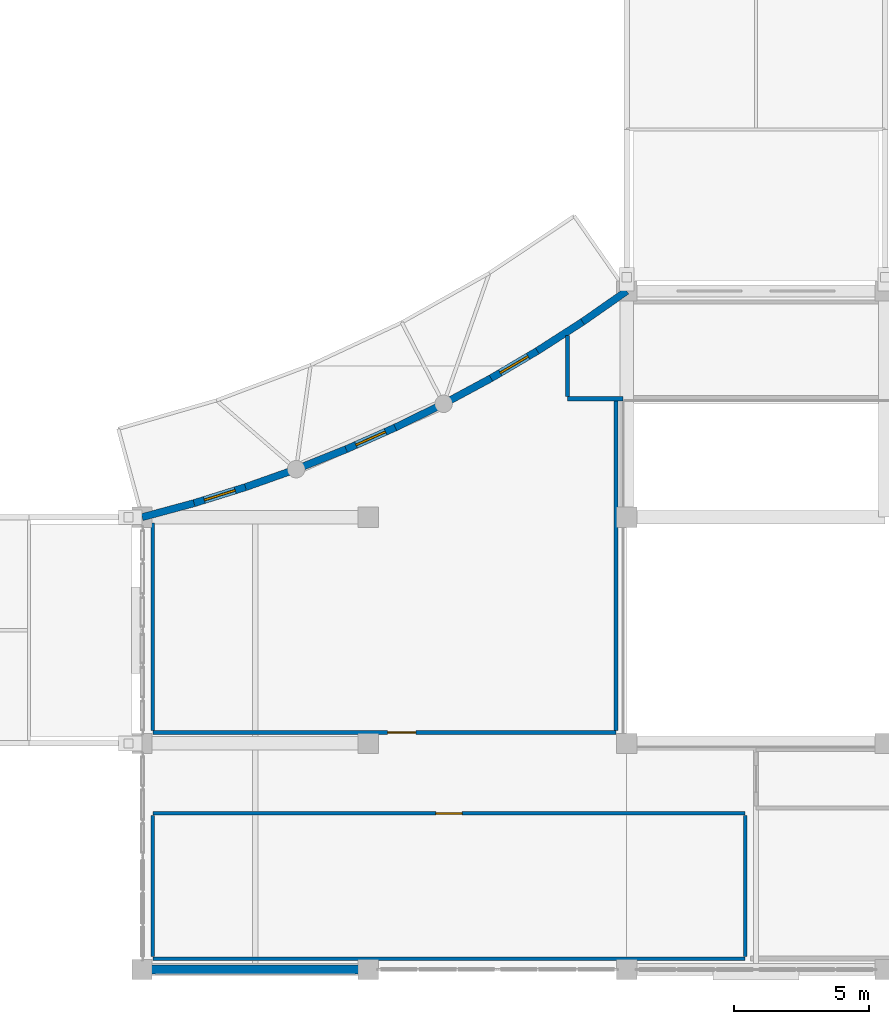
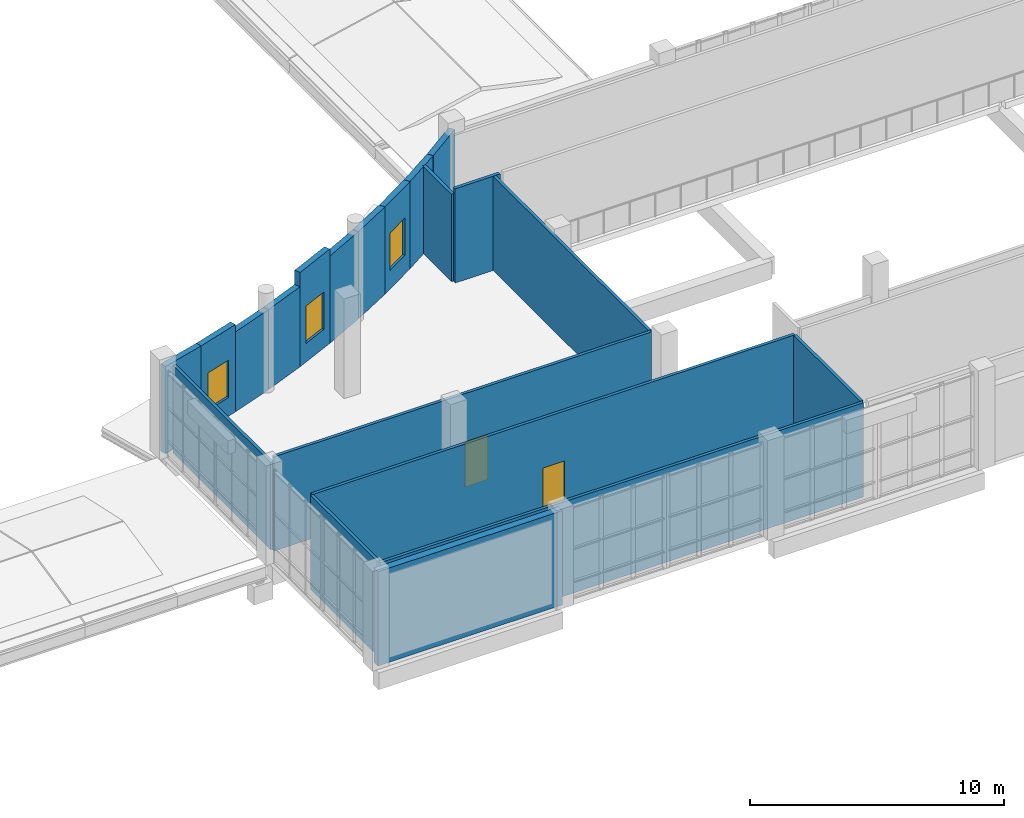
# One storey, part 84 of 106: 20 walls, 3 windows, 2 doors, 5 openings.
"""IFC4 building model written with IfcOpenShell, lengths in metres."""

from ifc_helpers import new_model, si_unit, direction, frame, frame_2d, origin, place, context, subcontext, project, spatial, rectangle, extrude, material, layer, layer_set, type_object, element, fill, save


model = new_model("IFC4")

# Units and contexts
model_context = context("Model", 3, precision=1e-05, world=origin(), true_north=direction((0.0, 1.0)))
body_context = subcontext(model_context, "Body", "Model", "MODEL_VIEW")
ifc_project = project(units=[si_unit("LENGTHUNIT", "METRE"), si_unit("AREAUNIT", "SQUARE_METRE"), si_unit("VOLUMEUNIT", "CUBIC_METRE"), si_unit("PLANEANGLEUNIT", "RADIAN"), si_unit("MASSUNIT", "GRAM", prefix="KILO")], contexts=[model_context])

# Site, building, storey
site_placement = place(None, origin())
site = spatial("IfcSite", under=ifc_project, at=site_placement, CompositionType="ELEMENT")
building_placement = place(site_placement, origin())
building = spatial("IfcBuilding", under=site, at=building_placement, Name="Kisaragi Civic Commons", CompositionType="ELEMENT")
storey_placement = place(building_placement, frame((0.0, 0.0, 4.800048828125)))
storey = spatial("IfcBuildingStorey", under=building, at=storey_placement, Name="L01", CompositionType="ELEMENT", Elevation=4.800048828125)

# Walls
ifc_material_1 = material(Name="Insulated Tokoname terracotta cavity wall", Category="masonry")
ifc_layer_1 = layer(ifc_material_1, 0.320068359375, Name="Insulated Tokoname terracotta cavity wall", Category="masonry")
ifc_layer_set_1 = layer_set([ifc_layer_1], Name="Insulated Tokoname terracotta cavity wall")
wall_type_1 = type_object("IfcWallType", Name="EW-01", PredefinedType="STANDARD", material=ifc_layer_set_1)
wall_1_placement = place(storey_placement, frame((114.0, 0.0, 0.0), z_axis=(0.0, 0.0, 1.0), x_axis=(-1.0, 0.0, 0.0)))
element("IfcWall", 1, at=wall_1_placement, inside=storey, type_object=wall_type_1, Name="V3 L01 exterior terracotta wall EW-01 273", PredefinedType="STANDARD", context=body_context, shape_type="SweptSolid", body=[
    extrude(rectangle(XDim=8.39990234375, YDim=0.320068359375, at=frame_2d((4.199951171875, 0.0))), origin(), (0.0, 0.0, 1.0), 4.5400390625),
])
ifc_layer_2 = layer(ifc_material_1, 0.26806640625, Name="Insulated Tokoname terracotta cavity wall", Category="masonry")
ifc_layer_set_2 = layer_set([ifc_layer_2], Name="Insulated Tokoname terracotta cavity wall")
wall_type_2 = type_object("IfcWallType", Name="EW-04", PredefinedType="STANDARD", material=ifc_layer_set_2)
wall_2_placement = place(storey_placement, frame((105.60009765625, 16.800048828125, 0.0), z_axis=(0.0, 0.0, 1.0), x_axis=(0.965445683697, 0.260604358811, 0.0)))
element("IfcWall", 2, at=wall_2_placement, inside=storey, type_object=wall_type_2, Name="V3 L01 exterior terracotta wall EW-04 259", PredefinedType="STANDARD", context=body_context, shape_type="SweptSolid", body=[
    extrude(rectangle(XDim=1.998291015625, YDim=0.26806640625, at=frame_2d((0.9990234375, 0.0))), origin(), (0.0, 0.0, 1.0), 4.204833984375),
])

# Wall, opening, window
wall_3_placement = place(storey_placement, frame((107.529296875, 17.32080078125, 0.0), z_axis=(0.0, 0.0, 1.0), x_axis=(0.954705742249, 0.297551584969, 0.0)))
wall_3 = element("IfcWall", 3, at=wall_3_placement, inside=storey, type_object=wall_type_2, Name="V3 L01 exterior terracotta wall EW-04 260", PredefinedType="STANDARD", context=body_context, shape_type="SweptSolid", body=[
    extrude(rectangle(XDim=1.998779296875, YDim=0.26806640625, at=frame_2d((0.99951171875, 0.0))), origin(), (0.0, 0.0, 1.0), 4.204833984375),
])
opening_1_placement = place(wall_3_placement, frame((0.3994140625, 0.0, 0.89990234375)))
opening_1 = element("IfcOpeningElement", 4, at=opening_1_placement, cuts=wall_3, Name="Opening W-05", PredefinedType="OPENING", context=body_context, shape_type="SweptSolid", body=[
    extrude(rectangle(XDim=1.199951171875, YDim=1.800048828125, at=frame_2d((0.60009765625, 0.89990234375))), frame((0.0, 0.14404296875, 0.0), z_axis=(0.0, -1.0, 0.0), x_axis=(1.0, 0.0, 0.0)), (0.0, 0.0, 1.0), 0.2880859375),
])
ifc_material_2 = material(Name="Thermally broken aluminium frame and low-E argon double glazing", Category="aluminium")
window_type = type_object("IfcWindowType", Name="W-05", PartitioningType="SINGLE_PANEL", PredefinedType="WINDOW", material=ifc_material_2)
window_1_placement = place(opening_1_placement, origin())
window_1 = element("IfcWindow", 5, at=window_1_placement, inside=storey, type_object=window_type, Name="V3 L01 window W-05 80", OverallHeight=1.800048828125, OverallWidth=1.199951171875, PartitioningType="SINGLE_PANEL", PredefinedType="WINDOW", context=body_context, shape_type="SweptSolid", body=[
    extrude(rectangle(XDim=1.199951171875, YDim=1.800048828125, at=frame_2d((0.60009765625, 0.89990234375))), frame((0.0, 0.030029296875, 0.0), z_axis=(0.0, -1.0, 0.0), x_axis=(1.0, 0.0, 0.0)), (0.0, 0.0, 1.0), 0.06005859375),
])
fill(opening_1, window_1)

# Walls
for number, where, z_axis, x_axis, name in (
    (6, (109.4375, 17.91552734375, 0.0), (0.0, 0.0, 1.0), (0.942579162091, 0.333982818709, 0.0), "V3 L01 exterior terracotta wall EW-04 261"),
    (7, (111.3212890625, 18.5830078125, 0.0), (0.0, 0.0, 1.0), (0.929023293301, 0.370021243315, 0.0), "V3 L01 exterior terracotta wall EW-04 262"),
):
    element("IfcWall", number, at=place(storey_placement, frame(where, z_axis=z_axis, x_axis=x_axis)), inside=storey, type_object=wall_type_2, Name=name, PredefinedType="STANDARD", context=body_context, shape_type="SweptSolid", body=[
        extrude(rectangle(XDim=1.99853515625, YDim=0.26806640625, at=frame_2d((0.999267578125, 0.0))), origin(), (0.0, 0.0, 1.0), 3.85498046875),
    ])

# Wall, opening, window
wall_4_placement = place(storey_placement, frame((113.177978515625, 19.322509765625, 0.0), z_axis=(0.0, 0.0, 1.0), x_axis=(0.914163846606, 0.405344867438, 0.0)))
wall_4 = element("IfcWall", 8, at=wall_4_placement, inside=storey, type_object=wall_type_2, Name="V3 L01 exterior terracotta wall EW-04 263", PredefinedType="STANDARD", context=body_context, shape_type="SweptSolid", body=[
    extrude(rectangle(XDim=1.99853515625, YDim=0.26806640625, at=frame_2d((0.999267578125, 0.0))), origin(), (0.0, 0.0, 1.0), 4.5400390625),
])
opening_2_placement = place(wall_4_placement, frame((0.399169921875, 0.0, 0.89990234375)))
opening_2 = element("IfcOpeningElement", 9, at=opening_2_placement, cuts=wall_4, Name="Opening W-05", PredefinedType="OPENING", context=body_context, shape_type="SweptSolid", body=[
    extrude(rectangle(XDim=1.199951171875, YDim=1.800048828125, at=frame_2d((0.60009765625, 0.89990234375))), frame((0.0, 0.14404296875, 0.0), z_axis=(0.0, -1.0, 0.0), x_axis=(1.0, 0.0, 0.0)), (0.0, 0.0, 1.0), 0.2880859375),
])
window_2_placement = place(opening_2_placement, origin())
window_2 = element("IfcWindow", 10, at=window_2_placement, inside=storey, type_object=window_type, Name="V3 L01 window W-05 81", OverallHeight=1.800048828125, OverallWidth=1.199951171875, PartitioningType="SINGLE_PANEL", PredefinedType="WINDOW", context=body_context, shape_type="SweptSolid", body=[
    extrude(rectangle(XDim=1.199951171875, YDim=1.800048828125, at=frame_2d((0.60009765625, 0.89990234375))), frame((0.0, 0.030029296875, 0.0), z_axis=(0.0, -1.0, 0.0), x_axis=(1.0, 0.0, 0.0)), (0.0, 0.0, 1.0), 0.06005859375),
])
fill(opening_2, window_2)

# Walls
for number, where, z_axis, x_axis, name in (
    (11, (115.0048828125, 20.132568359375, 0.0), (0.0, 0.0, 1.0), (0.897917882526, 0.440163010985, 0.0), "V3 L01 exterior terracotta wall EW-04 264"),
    (12, (116.79931640625, 21.01220703125, 0.0), (0.0, 0.0, 1.0), (0.880274898385, 0.474464016837, 0.0), "V3 L01 exterior terracotta wall EW-04 265"),
):
    element("IfcWall", number, at=place(storey_placement, frame(where, z_axis=z_axis, x_axis=x_axis)), inside=storey, type_object=wall_type_2, Name=name, PredefinedType="STANDARD", context=body_context, shape_type="SweptSolid", body=[
        extrude(rectangle(XDim=1.99853515625, YDim=0.26806640625, at=frame_2d((0.999267578125, 0.0))), origin(), (0.0, 0.0, 1.0), 4.204833984375),
    ])

# Wall, opening, window
wall_5_placement = place(storey_placement, frame((118.55859375, 21.96044921875, 0.0), z_axis=(0.0, 0.0, 1.0), x_axis=(0.861434431029, 0.507868802977, 0.0)))
wall_5 = element("IfcWall", 13, at=wall_5_placement, inside=storey, type_object=wall_type_2, Name="V3 L01 exterior terracotta wall EW-04 266", PredefinedType="STANDARD", context=body_context, shape_type="SweptSolid", body=[
    extrude(rectangle(XDim=1.998291015625, YDim=0.26806640625, at=frame_2d((0.9990234375, 0.0))), origin(), (0.0, 0.0, 1.0), 4.204833984375),
])
opening_3_placement = place(wall_5_placement, frame((0.399169921875, 0.0, 0.89990234375)))
opening_3 = element("IfcOpeningElement", 14, at=opening_3_placement, cuts=wall_5, Name="Opening W-05", PredefinedType="OPENING", context=body_context, shape_type="SweptSolid", body=[
    extrude(rectangle(XDim=1.199951171875, YDim=1.800048828125, at=frame_2d((0.60009765625, 0.89990234375))), frame((0.0, 0.14404296875, 0.0), z_axis=(0.0, -1.0, 0.0), x_axis=(1.0, 0.0, 0.0)), (0.0, 0.0, 1.0), 0.2880859375),
])
window_3_placement = place(opening_3_placement, origin())
window_3 = element("IfcWindow", 15, at=window_3_placement, inside=storey, type_object=window_type, Name="V3 L01 window W-05 82", OverallHeight=1.800048828125, OverallWidth=1.199951171875, PartitioningType="SINGLE_PANEL", PredefinedType="WINDOW", context=body_context, shape_type="SweptSolid", body=[
    extrude(rectangle(XDim=1.199951171875, YDim=1.800048828125, at=frame_2d((0.60009765625, 0.89990234375))), frame((0.0, 0.030029296875, 0.0), z_axis=(0.0, -1.0, 0.0), x_axis=(1.0, 0.0, 0.0)), (0.0, 0.0, 1.0), 0.06005859375),
])
fill(opening_3, window_3)

# Walls
wall_6_placement = place(storey_placement, frame((120.280029296875, 22.975341796875, 0.0), z_axis=(0.0, 0.0, 1.0), x_axis=(0.841253874488, 0.540640285826, 0.0)))
element("IfcWall", 16, at=wall_6_placement, inside=storey, type_object=wall_type_2, Name="V3 L01 exterior terracotta wall EW-04 267", PredefinedType="STANDARD", context=body_context, shape_type="SweptSolid", body=[
    extrude(rectangle(XDim=1.998779296875, YDim=0.26806640625, at=frame_2d((0.99951171875, 0.0))), origin(), (0.0, 0.0, 1.0), 4.204833984375),
])
wall_7_placement = place(storey_placement, frame((121.96142578125, 24.055908203125, 0.0), z_axis=(0.0, 0.0, 1.0), x_axis=(0.819942937555, 0.572445263019, 0.0)))
element("IfcWall", 17, at=wall_7_placement, inside=storey, type_object=wall_type_2, Name="V3 L01 exterior terracotta wall EW-04 268", PredefinedType="STANDARD", context=body_context, shape_type="SweptSolid", body=[
    extrude(rectangle(XDim=1.99853515625, YDim=0.26806640625, at=frame_2d((0.999267578125, 0.0))), origin(), (0.0, 0.0, 1.0), 4.204833984375),
])
ifc_material_3 = material(Name="Acoustic gypsum board on light-gauge steel studs", Category="steel")
ifc_layer_3 = layer(ifc_material_3, 0.14990234375, Name="Acoustic gypsum board on light-gauge steel studs", Category="steel")
ifc_layer_set_3 = layer_set([ifc_layer_3], Name="Acoustic gypsum board on light-gauge steel studs")
wall_type_3 = type_object("IfcWallType", Name="IW-01", PredefinedType="STANDARD", material=ifc_layer_set_3)
wall_8_placement = place(storey_placement, frame((123.46240234375, 21.199951171875, 0.0), z_axis=(0.0, 0.0, 1.0), x_axis=(-1.0, 0.0, 0.0)))
element("IfcWall", 18, at=wall_8_placement, inside=storey, type_object=wall_type_3, Name="L01 D1-08 partition IW-01 205", PredefinedType="STANDARD", context=body_context, shape_type="SweptSolid", body=[
    extrude(rectangle(XDim=2.057373046875, YDim=0.14990234375, at=frame_2d((1.02880859375, 0.0))), origin(), (0.0, 0.0, 1.0), 4.5400390625),
])
wall_9_placement = place(storey_placement, frame((121.39990234375, 21.27490234375, 0.0), z_axis=(0.0, 0.0, 1.0), x_axis=(0.0, 1.0, 0.0)))
element("IfcWall", 19, at=wall_9_placement, inside=storey, type_object=wall_type_3, Name="L01 D1-08 partition IW-01 206", PredefinedType="STANDARD", context=body_context, shape_type="SweptSolid", body=[
    extrude(rectangle(XDim=2.278076171875, YDim=0.14990234375, at=frame_2d((1.13916015625, 0.0))), origin(), (0.0, 0.0, 1.0), 4.204833984375),
])
ifc_layer_4 = layer(ifc_material_3, 0.137939453125, Name="Acoustic gypsum board on light-gauge steel studs", Category="steel")
ifc_layer_set_4 = layer_set([ifc_layer_4], Name="Acoustic gypsum board on light-gauge steel studs")
wall_type_4 = type_object("IfcWallType", Name="IW-02", PredefinedType="STANDARD", material=ifc_layer_set_4)
wall_10_placement = place(storey_placement, frame((123.199951171875, 21.116943359375, 0.0), z_axis=(0.0, 0.0, 1.0), x_axis=(0.0, -1.0, 0.0)))
element("IfcWall", 20, at=wall_10_placement, inside=storey, type_object=wall_type_4, Name="L01 D1-01 partition IW-02 243", PredefinedType="STANDARD", context=body_context, shape_type="SweptSolid", body=[
    extrude(rectangle(XDim=12.241943359375, YDim=0.137939453125, at=frame_2d((6.12109375, 0.0))), origin(), (0.0, 0.0, 1.0), 4.5400390625),
])

# Wall, opening, door
wall_11_placement = place(storey_placement, frame((123.195068359375, 8.800048828125, 0.0), z_axis=(0.0, 0.0, 1.0), x_axis=(-1.0, 0.0, 0.0)))
wall_11 = element("IfcWall", 21, at=wall_11_placement, inside=storey, type_object=wall_type_4, Name="L01 D1-01 partition IW-02 244", PredefinedType="STANDARD", context=body_context, shape_type="SweptSolid", body=[
    extrude(rectangle(XDim=17.190185546875, YDim=0.137939453125, at=frame_2d((8.59521484375, 0.0))), origin(), (0.0, 0.0, 1.0), 4.5400390625),
])
opening_4_placement = place(wall_11_placement, frame((7.42431640625, 0.0, 0.0)))
opening_4 = element("IfcOpeningElement", 22, at=opening_4_placement, cuts=wall_11, Name="Opening ID-03", PredefinedType="OPENING", context=body_context, shape_type="SweptSolid", body=[
    extrude(rectangle(XDim=1.050048828125, YDim=2.14990234375, at=frame_2d((0.52490234375, 1.074951171875))), frame((0.0, 0.078857421875, 0.0), z_axis=(0.0, -1.0, 0.0), x_axis=(1.0, 0.0, 0.0)), (0.0, 0.0, 1.0), 0.157958984375),
])
ifc_material_4 = material(Name="Solid-core Japanese ash acoustic flush timber leaf in steel frame", Category="steel")
door_type_1 = type_object("IfcDoorType", Name="ID-03", OperationType="NOTDEFINED", PredefinedType="DOOR", material=ifc_material_4)
door_1_placement = place(opening_4_placement, origin())
door_1 = element("IfcDoor", 23, at=door_1_placement, inside=storey, type_object=door_type_1, Name="Dining Mezzanine Lounge door ID-03", OperationType="SINGLE_SWING_LEFT", OverallHeight=2.14990234375, OverallWidth=1.050048828125, PredefinedType="DOOR", context=body_context, shape_type="SweptSolid", body=[
    extrude(rectangle(XDim=1.050048828125, YDim=2.14990234375, at=frame_2d((0.52490234375, 1.074951171875))), frame((0.0, 0.02490234375, 0.0), z_axis=(0.0, -1.0, 0.0), x_axis=(1.0, 0.0, 0.0)), (0.0, 0.0, 1.0), 0.050048828125),
])
fill(opening_4, door_1)

# Walls
wall_12_placement = place(storey_placement, frame((106.0, 8.875, 0.0), z_axis=(0.0, 0.0, 1.0), x_axis=(0.0, 1.0, 0.0)))
element("IfcWall", 24, at=wall_12_placement, inside=storey, type_object=wall_type_4, Name="L01 D1-01 partition IW-02 245", PredefinedType="STANDARD", context=body_context, shape_type="SweptSolid", body=[
    extrude(rectangle(XDim=7.70947265625, YDim=0.137939453125, at=frame_2d((3.854736328125, 0.0))), origin(), (0.0, 0.0, 1.0), 4.204833984375),
])
wall_13_placement = place(storey_placement, frame((128.0, 5.72509765625, 0.0), z_axis=(0.0, 0.0, 1.0), x_axis=(0.0, -1.0, 0.0)))
element("IfcWall", 25, at=wall_13_placement, inside=storey, type_object=wall_type_4, Name="L01 D1-02 partition IW-02 246", PredefinedType="STANDARD", context=body_context, shape_type="SweptSolid", body=[
    extrude(rectangle(XDim=5.25, YDim=0.137939453125, at=frame_2d((2.625, 0.0))), origin(), (0.0, 0.0, 1.0), 4.5400390625),
])
wall_14_placement = place(storey_placement, frame((127.9951171875, 0.39990234375, 0.0), z_axis=(0.0, 0.0, 1.0), x_axis=(-1.0, 0.0, 0.0)))
element("IfcWall", 26, at=wall_14_placement, inside=storey, type_object=wall_type_4, Name="L01 D1-02 partition IW-02 247", PredefinedType="STANDARD", context=body_context, shape_type="SweptSolid", body=[
    extrude(rectangle(XDim=21.990234375, YDim=0.137939453125, at=frame_2d((10.9951171875, 0.0))), origin(), (0.0, 0.0, 1.0), 4.5400390625),
])
wall_15_placement = place(storey_placement, frame((106.0, 0.47509765625, 0.0), z_axis=(0.0, 0.0, 1.0), x_axis=(0.0, 1.0, 0.0)))
element("IfcWall", 27, at=wall_15_placement, inside=storey, type_object=wall_type_4, Name="L01 D1-02 partition IW-02 248", PredefinedType="STANDARD", context=body_context, shape_type="SweptSolid", body=[
    extrude(rectangle(XDim=5.25, YDim=0.137939453125, at=frame_2d((2.625, 0.0))), origin(), (0.0, 0.0, 1.0), 4.5400390625),
])

# Wall, opening, door
wall_16_placement = place(storey_placement, frame((106.0048828125, 5.800048828125, 0.0), z_axis=(0.0, 0.0, 1.0), x_axis=(1.0, 0.0, 0.0)))
wall_16 = element("IfcWall", 28, at=wall_16_placement, inside=storey, type_object=wall_type_4, Name="L01 D1-02 partition IW-02 249", PredefinedType="STANDARD", context=body_context, shape_type="SweptSolid", body=[
    extrude(rectangle(XDim=21.990234375, YDim=0.137939453125, at=frame_2d((10.9951171875, 0.0))), origin(), (0.0, 0.0, 1.0), 4.5400390625),
])
opening_5_placement = place(wall_16_placement, frame((10.5048828125, 0.0, 0.0)))
opening_5 = element("IfcOpeningElement", 29, at=opening_5_placement, cuts=wall_16, Name="Opening ID-16", PredefinedType="OPENING", context=body_context, shape_type="SweptSolid", body=[
    extrude(rectangle(XDim=0.97998046875, YDim=2.139892578125, at=frame_2d((0.489990234375, 1.06982421875))), frame((0.0, 0.078857421875, 0.0), z_axis=(0.0, -1.0, 0.0), x_axis=(1.0, 0.0, 0.0)), (0.0, 0.0, 1.0), 0.157958984375),
])
door_type_2 = type_object("IfcDoorType", Name="ID-16", OperationType="NOTDEFINED", PredefinedType="DOOR", material=ifc_material_4)
door_2_placement = place(opening_5_placement, origin())
door_2 = element("IfcDoor", 30, at=door_2_placement, inside=storey, type_object=door_type_2, Name="Culinary Teaching Studio door ID-16", OperationType="SINGLE_SWING_RIGHT", OverallHeight=2.139892578125, OverallWidth=0.97998046875, PredefinedType="DOOR", context=body_context, shape_type="SweptSolid", body=[
    extrude(rectangle(XDim=0.97998046875, YDim=2.139892578125, at=frame_2d((0.489990234375, 1.06982421875))), frame((0.0, 0.02490234375, 0.0), z_axis=(0.0, -1.0, 0.0), x_axis=(1.0, 0.0, 0.0)), (0.0, 0.0, 1.0), 0.050048828125),
])
fill(opening_5, door_2)

save(model, "model.ifc")
